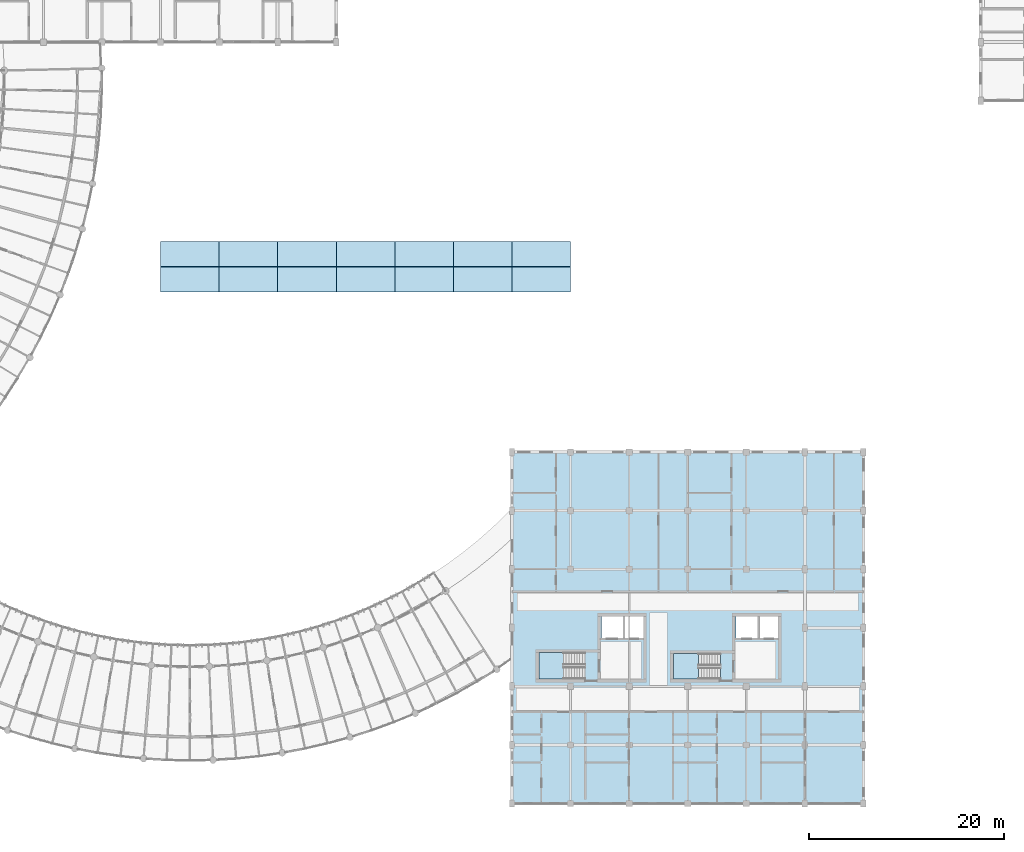
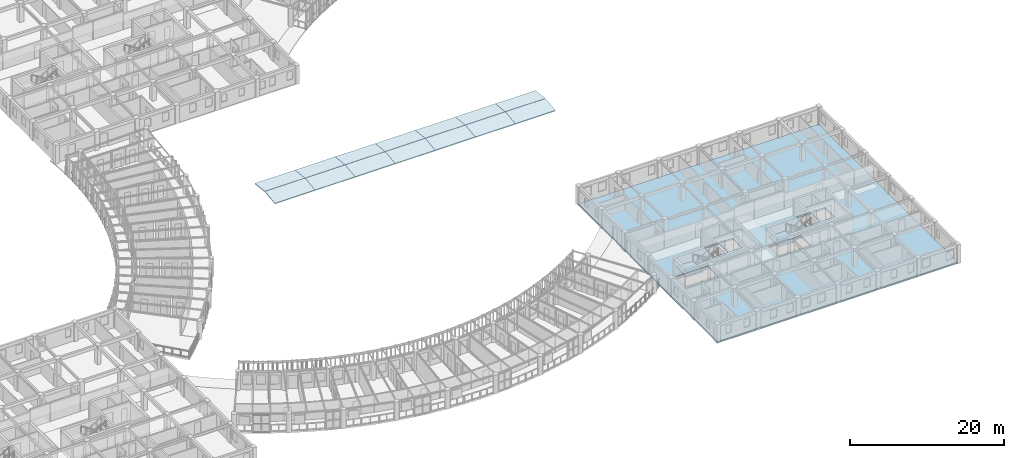
# One storey, part 46 of 100: 17 slabs, 2 elements without a shape of their own.
"""IFC4 building model written with IfcOpenShell, lengths in metres."""

from ifc_helpers import new_model, si_unit, direction, frame, origin, place, context, subcontext, project, spatial, polyline, outline, extrude, material, layer, layer_set, type_object, element, aggregate, save


model = new_model("IFC4")

# Units and contexts
model_context = context("Model", 3, precision=1e-05, world=origin(), true_north=direction((0.0, 1.0)))
body_context = subcontext(model_context, "Body", "Model", "MODEL_VIEW")
ifc_project = project(units=[si_unit("LENGTHUNIT", "METRE"), si_unit("AREAUNIT", "SQUARE_METRE"), si_unit("VOLUMEUNIT", "CUBIC_METRE"), si_unit("PLANEANGLEUNIT", "RADIAN"), si_unit("MASSUNIT", "GRAM", prefix="KILO"), si_unit("POWERUNIT", "WATT"), si_unit("THERMODYNAMICTEMPERATUREUNIT", "KELVIN")], contexts=[model_context])

# Site, building, storey
site_placement = place(None, origin())
site = spatial("IfcSite", under=ifc_project, at=site_placement, CompositionType="ELEMENT")
building_placement = place(site_placement, origin())
building = spatial("IfcBuilding", under=site, at=building_placement, Name="Ruvembo Vaulted Housing Court", CompositionType="ELEMENT")
storey_placement = place(building_placement, frame((0.0, 0.0, 10.89990234375)))
storey = spatial("IfcBuildingStorey", under=building, at=storey_placement, Name="L03", CompositionType="ELEMENT", Elevation=10.89990234375)

# Slab
ifc_material_1 = material(Name="Concrete C30/37", Category="concrete")
ifc_layer_1 = layer(ifc_material_1, 0.2451171875, Name="Concrete C30/37")
ifc_layer_set_1 = layer_set([ifc_layer_1], Name="Concrete C30/37")
slab_type_1 = type_object("IfcSlabType", Name="SL-FLR-245", PredefinedType="FLOOR", material=ifc_layer_set_1)
slab_1_placement = place(storey_placement, frame((0.0, 0.0, -0.244873046875)))
element("IfcSlab", 1, at=slab_1_placement, inside=storey, type_object=slab_type_1, Name="Block C L03 Structural Floor Slab", PredefinedType="FLOOR", context=body_context, shape_type="SweptSolid", body=[
    extrude(outline(polyline([(138.0, 0.0), (138.0, 36.0), (102.0, 36.0), (102.0, 0.0), (138.0, 0.0)]), holes=[polyline([(109.5, 15.449951171875), (104.75, 15.449951171875), (104.75, 12.75), (109.5, 12.75), (109.5, 15.449951171875)]), polyline([(111.14990234375, 16.85009765625), (113.35009765625, 16.85009765625), (113.35009765625, 19.25), (111.14990234375, 19.25), (111.14990234375, 16.85009765625)]), polyline([(113.60009765625, 16.85009765625), (115.449951171875, 16.85009765625), (115.449951171875, 19.25), (113.60009765625, 19.25), (113.60009765625, 16.85009765625)]), polyline([(123.35009765625, 15.35009765625), (118.550048828125, 15.35009765625), (118.550048828125, 12.75), (123.35009765625, 12.75), (123.35009765625, 15.35009765625)]), polyline([(124.949951171875, 16.85009765625), (127.14990234375, 16.85009765625), (127.14990234375, 19.25), (124.949951171875, 19.25), (124.949951171875, 16.85009765625)]), polyline([(127.39990234375, 16.85009765625), (129.25, 16.85009765625), (129.25, 19.25), (127.39990234375, 19.25), (127.39990234375, 16.85009765625)])]), origin(), (0.0, 0.0, 1.0), 0.244873046875),
])

# Stair, slab
ifc_material_2 = material(Name="Concrete C35/45", Category="concrete")
stair_type_1 = type_object("IfcStairType", Name="STR-CORE-1250", PredefinedType="HALF_TURN_STAIR", material=ifc_material_2)
stair_1_placement = place(storey_placement, origin())
stair_1 = element("IfcStair", 2, at=stair_1_placement, inside=storey, type_object=stair_type_1, Name="L03 Protected Exit Stair ST-C1", PredefinedType="HALF_TURN_STAIR")
ifc_layer_2 = layer(ifc_material_1, 0.201904296875, Name="Concrete C30/37")
ifc_layer_set_2 = layer_set([ifc_layer_2], Name="Concrete C30/37")
slab_type_2 = type_object("IfcSlabType", Name="SL-LAND-202", PredefinedType="LANDING", material=ifc_layer_set_2)
slab_2_placement = place(storey_placement, frame((0.0, 0.0, 1.400146484375)))
slab_2 = element("IfcSlab", 3, at=slab_2_placement, type_object=slab_type_2, Name="ST-C1 landing 1", PredefinedType="LANDING", context=body_context, shape_type="SweptSolid", body=[
    extrude(outline(polyline([(107.260009765625, 15.449951171875), (104.75, 15.449951171875), (104.75, 12.75), (107.260009765625, 12.75), (107.260009765625, 15.449951171875)])), origin(), (0.0, 0.0, 1.0), 0.199951171875),
])
aggregate(stair_1, [slab_2])

stair_type_2 = type_object("IfcStairType", Name="STR-CORE-1200", PredefinedType="HALF_TURN_STAIR", material=ifc_material_2)
stair_2_placement = place(storey_placement, origin())
stair_2 = element("IfcStair", 4, at=stair_2_placement, inside=storey, type_object=stair_type_2, Name="L03 Protected Exit Stair ST-C2", PredefinedType="HALF_TURN_STAIR")
slab_3_placement = place(storey_placement, frame((0.0, 0.0, 1.400146484375)))
slab_3 = element("IfcSlab", 5, at=slab_3_placement, type_object=slab_type_2, Name="ST-C2 landing 1", PredefinedType="LANDING", context=body_context, shape_type="SweptSolid", body=[
    extrude(outline(polyline([(121.110107421875, 15.35009765625), (118.550048828125, 15.35009765625), (118.550048828125, 12.75), (121.110107421875, 12.75), (121.110107421875, 15.35009765625)])), origin(), (0.0, 0.0, 1.0), 0.199951171875),
])
aggregate(stair_2, [slab_3])

# Slabs
ifc_layer_3 = layer(ifc_material_1, 0.139892578125, Name="Concrete C30/37")
ifc_layer_set_3 = layer_set([ifc_layer_3], Name="Concrete C30/37")
slab_type_3 = type_object("IfcSlabType", Name="SL-VAULT-140", PredefinedType="ROOF", material=ifc_layer_set_3)
for number, where, z_axis, x_axis, name in (
    (6, (66.0, 52.39990234375, 2.736083984375), (0.0, -0.11677050346, 0.993158924605), (1.0, 0.0, 0.0), "Vault Crown Roof Slab Bay 1.4"),
    (7, (66.0, 55.014892578125, 3.0400390625), (0.0, 0.11677050346, 0.993158924605), (1.0, 0.0, 0.0), "Vault Crown Roof Slab Bay 1.5"),
    (8, (72.0, 52.39990234375, 2.736083984375), (0.0, -0.11677050346, 0.993158924605), (1.0, 0.0, 0.0), "Vault Crown Roof Slab Bay 2.4"),
    (9, (72.0, 55.014892578125, 3.0400390625), (0.0, 0.11677050346, 0.993158924605), (1.0, 0.0, 0.0), "Vault Crown Roof Slab Bay 2.5"),
    (10, (78.0, 52.39990234375, 2.736083984375), (0.0, -0.11677050346, 0.993158924605), (1.0, 0.0, 0.0), "Vault Crown Roof Slab Bay 3.4"),
    (11, (78.0, 55.014892578125, 3.0400390625), (0.0, 0.11677050346, 0.993158924605), (1.0, 0.0, 0.0), "Vault Crown Roof Slab Bay 3.5"),
    (12, (84.0, 52.39990234375, 2.736083984375), (0.0, -0.11677050346, 0.993158924605), (1.0, 0.0, 0.0), "Vault Crown Roof Slab Bay 4.4"),
    (13, (84.0, 55.014892578125, 3.0400390625), (0.0, 0.11677050346, 0.993158924605), (1.0, 0.0, 0.0), "Vault Crown Roof Slab Bay 4.5"),
    (14, (90.0, 52.39990234375, 2.736083984375), (0.0, -0.11677050346, 0.993158924605), (1.0, 0.0, 0.0), "Vault Crown Roof Slab Bay 5.4"),
    (15, (90.0, 55.014892578125, 3.0400390625), (0.0, 0.11677050346, 0.993158924605), (1.0, 0.0, 0.0), "Vault Crown Roof Slab Bay 5.5"),
    (16, (96.0, 52.39990234375, 2.736083984375), (0.0, -0.11677050346, 0.993158924605), (1.0, 0.0, 0.0), "Vault Crown Roof Slab Bay 6.4"),
    (17, (96.0, 55.014892578125, 3.0400390625), (0.0, 0.11677050346, 0.993158924605), (1.0, 0.0, 0.0), "Vault Crown Roof Slab Bay 6.5"),
    (18, (102.0, 52.39990234375, 2.736083984375), (0.0, -0.11677050346, 0.993158924605), (1.0, 0.0, 0.0), "Vault Crown Roof Slab Bay 7.4"),
    (19, (102.0, 55.014892578125, 3.0400390625), (0.0, 0.11677050346, 0.993158924605), (1.0, 0.0, 0.0), "Vault Crown Roof Slab Bay 7.5"),
):
    element("IfcSlab", number, at=place(storey_placement, frame(where, z_axis=z_axis, x_axis=x_axis)), inside=storey, type_object=slab_type_3, Name=name, PredefinedType="ROOF", context=body_context, shape_type="SweptSolid", body=[
        extrude(outline(polyline([(0.0, 0.0), (6.0, 0.0), (6.0, 2.6030124827747683), (0.0, 2.6030124827747683), (0.0, 0.0)])), origin(), (0.0, 0.0, -1.0), 0.139892578125),
    ])

save(model, "model.ifc")
